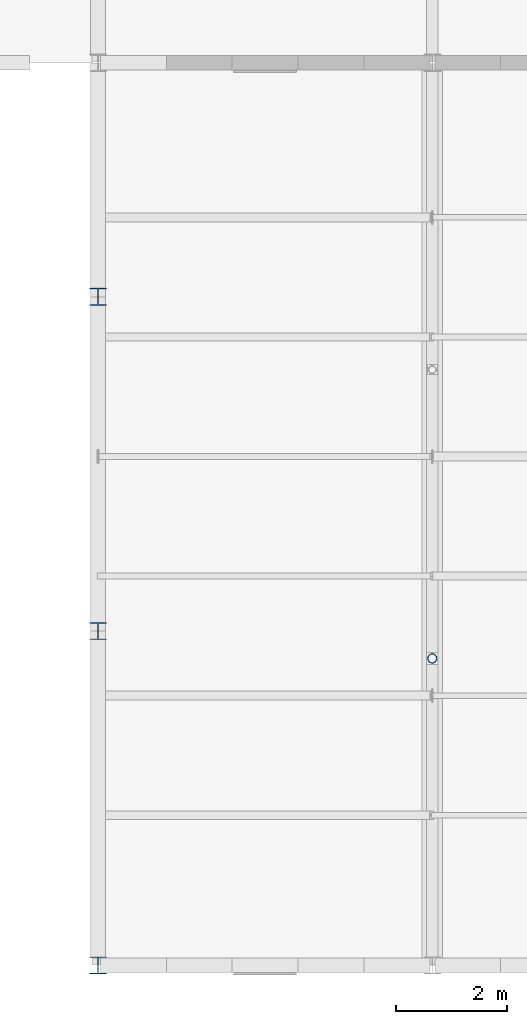
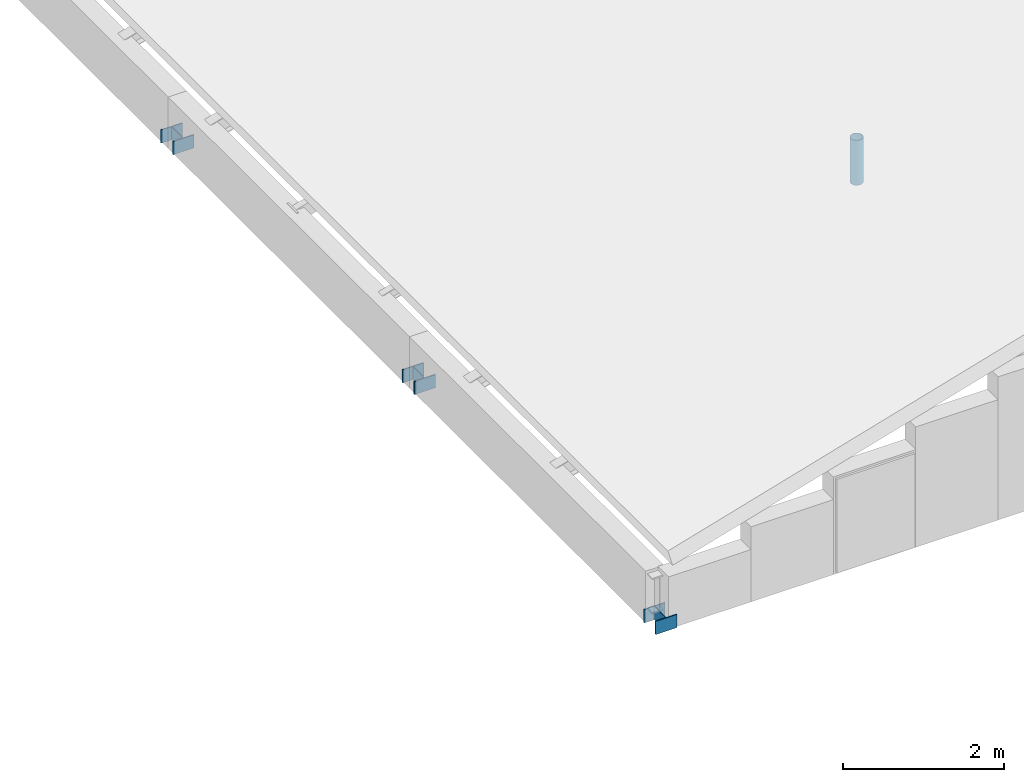
# One storey, part 34 of 74: 4 members.
"""IFC4 building model written with IfcOpenShell, lengths in metres."""

from ifc_helpers import new_model, si_unit, direction, frame, origin, origin_2d, place, context, subcontext, project, spatial, hollow_circle, i_section, extrude, material, material_profile, profile_set, type_object, element, save


model = new_model("IFC4")

# Units and contexts
model_context = context("Model", 3, precision=1e-05, world=origin(), true_north=direction((0.0, 1.0)))
body_context = subcontext(model_context, "Body", "Model", "MODEL_VIEW")
ifc_project = project(units=[si_unit("LENGTHUNIT", "METRE"), si_unit("AREAUNIT", "SQUARE_METRE"), si_unit("VOLUMEUNIT", "CUBIC_METRE"), si_unit("PLANEANGLEUNIT", "RADIAN"), si_unit("MASSUNIT", "GRAM", prefix="KILO")], contexts=[model_context])

# Site, building, storey
site_placement = place(None, origin())
site = spatial("IfcSite", under=ifc_project, at=site_placement, CompositionType="ELEMENT")
building_placement = place(site_placement, origin())
building = spatial("IfcBuilding", under=site, at=building_placement, Name="Siltcreek Boulevard Central Fire Station", CompositionType="ELEMENT")
storey_placement = place(building_placement, frame((0.0, 0.0, 25.199951171875)))
storey = spatial("IfcBuildingStorey", under=building, at=storey_placement, Name="RF", CompositionType="ELEMENT", Elevation=25.199951171875)

# Members
ifc_material_1 = material(Name="Structural steel ASTM A500 GrC", Category="steel")
ifc_material_profile_1 = material_profile(ifc_material_1, hollow_circle(Radius=0.084228515625, WallThickness=0.007080078125, at=origin_2d()), Name="HSS168.3X7.1")
ifc_profile_set_1 = profile_set([ifc_material_profile_1], Name="Structural steel ASTM A500 GrC")
member_type_1 = type_object("IfcMemberType", Name="BR_CHS168", PredefinedType="BRACE", material=ifc_profile_set_1)
member_placement = place(storey_placement, frame((148.199951171875, 7.30810546875, -13.9140625), z_axis=(0.0, 0.0, 1.0), x_axis=(1.0, 0.0, 0.0)))
element("IfcMember", 1, at=member_placement, inside=storey, type_object=member_type_1, Name="Roof truss web strut BR-052", PredefinedType="BRACE", context=body_context, shape_type="SweptSolid", body=[
    extrude(hollow_circle(Radius=0.084228515625, WallThickness=0.007080078125, at=origin_2d()), origin(), (0.0, 0.0, 1.0), 0.68017578125),
])
ifc_material_2 = material(Name="Structural steel ASTM A992 Gr50", Category="steel")
ifc_material_profile_2 = material_profile(ifc_material_2, i_section(OverallWidth=0.304931640625, OverallDepth=0.30810546875, WebThickness=0.010009765625, FlangeThickness=0.015380859375, at=origin_2d()), Name="W310X97")
ifc_profile_set_2 = profile_set([ifc_material_profile_2], Name="Structural steel ASTM A992 Gr50")
member_type_2 = type_object("IfcMemberType", Name="CH_W310X97", PredefinedType="CHORD", material=ifc_profile_set_2)
for number, where, z_axis, x_axis, name in (
    (2, (142.199951171875, 1.800048828125, -15.199951171875), (0.0, 0.0, 1.0), (1.0, 0.0, 0.0), "Roof bearing truss post 0774"),
    (3, (142.199951171875, 7.800048828125, -15.199951171875), (0.0, 0.0, 1.0), (1.0, 0.0, 0.0), "Roof bearing truss post 0775"),
    (4, (142.199951171875, 13.800048828125, -15.199951171875), (0.0, 0.0, 1.0), (1.0, 0.0, 0.0), "Roof bearing truss post 0776"),
):
    element("IfcMember", number, at=place(storey_placement, frame(where, z_axis=z_axis, x_axis=x_axis)), inside=storey, type_object=member_type_2, Name=name, PredefinedType="CHORD", context=body_context, shape_type="SweptSolid", body=[
        extrude(i_section(OverallWidth=0.304931640625, OverallDepth=0.30810546875, WebThickness=0.010009765625, FlangeThickness=0.015380859375, at=origin_2d()), origin(), (0.0, 0.0, 1.0), 0.199951171875),
    ])

save(model, "model.ifc")
